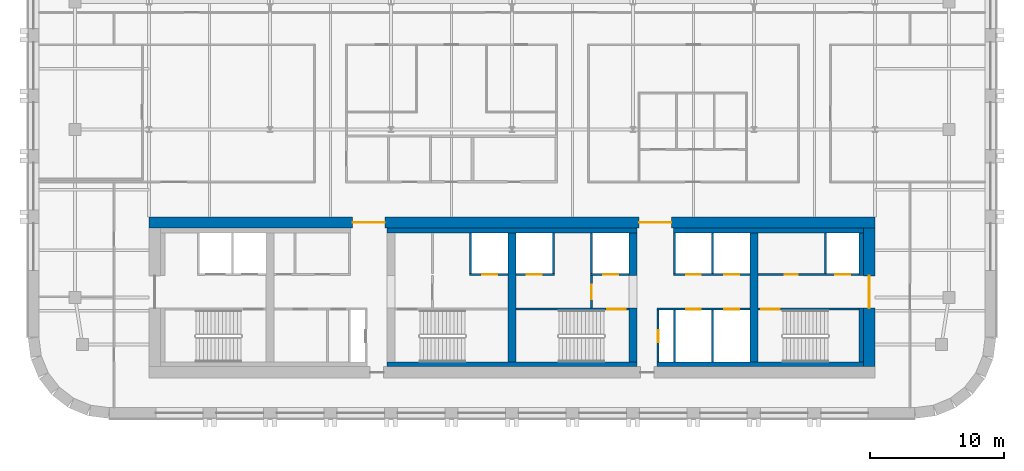
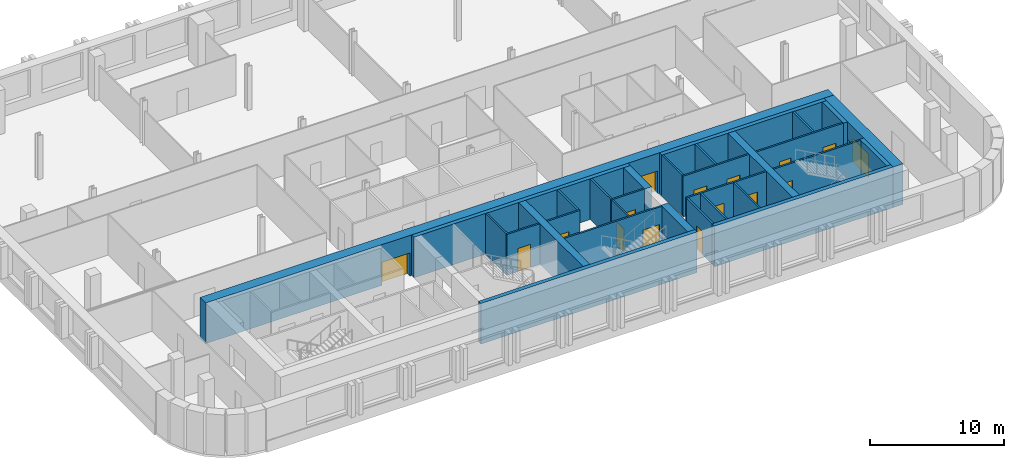
# One storey, part 5 of 11: 30 walls, 16 doors, 16 openings.
"""IFC4 building model written with IfcOpenShell, lengths in metres."""

from ifc_helpers import new_model, si_unit, direction, frame, frame_2d, origin, place, context, subcontext, project, spatial, rectangle, extrude, material, layer, layer_set, type_object, element, fill, save


model = new_model("IFC4")

# Units and contexts
model_context = context("Model", 3, precision=1e-05, world=origin(), true_north=direction((0.0, 1.0)))
body_context = subcontext(model_context, "Body", "Model", "MODEL_VIEW")
ifc_project = project(units=[si_unit("LENGTHUNIT", "METRE"), si_unit("AREAUNIT", "SQUARE_METRE"), si_unit("VOLUMEUNIT", "CUBIC_METRE"), si_unit("PLANEANGLEUNIT", "RADIAN"), si_unit("MASSUNIT", "GRAM", prefix="KILO")], contexts=[model_context])

# Site, building, storey
site_placement = place(None, origin())
site = spatial("IfcSite", under=ifc_project, at=site_placement, CompositionType="ELEMENT")
building_placement = place(site_placement, origin())
building = spatial("IfcBuilding", under=site, at=building_placement, Name="Zellij Exchange Tower", CompositionType="ELEMENT")
storey_placement = place(building_placement, frame((0.0, 0.0, 208.5)))
storey = spatial("IfcBuildingStorey", under=building, at=storey_placement, Name="L48", CompositionType="ELEMENT", Elevation=208.5)

# Walls
ifc_material_1 = material(Name="Concrete C60/75", Category="concrete")
ifc_layer_1 = layer(ifc_material_1, 0.60009765625)
ifc_layer_set_1 = layer_set([ifc_layer_1], Name="Concrete C60/75")
wall_type_1 = type_object("IfcWallType", Name="CORE-CW 600 C60/75", PredefinedType="SHEAR", material=ifc_layer_set_1)
wall_1_placement = place(storey_placement, frame((0.0, -12.800048828125, 0.0), z_axis=(0.0, 0.0, 1.0), x_axis=(0.0, 1.0, 0.0)))
element("IfcWall", 1, at=wall_1_placement, inside=storey, type_object=wall_type_1, Name="Core cross wall x 0 L48", PredefinedType="SHEAR", context=body_context, shape_type="SweptSolid", body=[
    extrude(rectangle(XDim=9.60009765625, YDim=0.60009765625, at=frame_2d((4.800048828125, 0.0))), origin(), (0.0, 0.0, 1.0), 3.699951171875),
])
wall_2_placement = place(storey_placement, frame((9.0, -12.800048828125, 0.0), z_axis=(0.0, 0.0, 1.0), x_axis=(0.0, 1.0, 0.0)))
element("IfcWall", 2, at=wall_2_placement, inside=storey, type_object=wall_type_1, Name="Core cross wall pier x 9 a L48", PredefinedType="SHEAR", context=body_context, shape_type="SweptSolid", body=[
    extrude(rectangle(XDim=4.0, YDim=0.60009765625, at=frame_2d((2.0, 0.0))), origin(), (0.0, 0.0, 1.0), 3.699951171875),
])
wall_3_placement = place(storey_placement, frame((9.0, -6.375, 0.0), z_axis=(0.0, 0.0, 1.0), x_axis=(0.0, 1.0, 0.0)))
element("IfcWall", 3, at=wall_3_placement, inside=storey, type_object=wall_type_1, Name="Core cross wall pier x 9 b L48", PredefinedType="SHEAR", context=body_context, shape_type="SweptSolid", body=[
    extrude(rectangle(XDim=3.175048828125, YDim=0.60009765625, at=frame_2d((1.58740234375, 0.0))), origin(), (0.0, 0.0, 1.0), 3.699951171875),
])
wall_4_placement = place(storey_placement, frame((18.0, -12.800048828125, 0.0), z_axis=(0.0, 0.0, 1.0), x_axis=(0.0, 1.0, 0.0)))
element("IfcWall", 4, at=wall_4_placement, inside=storey, type_object=wall_type_1, Name="Core cross wall x 18 L48", PredefinedType="SHEAR", context=body_context, shape_type="SweptSolid", body=[
    extrude(rectangle(XDim=9.60009765625, YDim=0.60009765625, at=frame_2d((4.800048828125, 0.0))), origin(), (0.0, 0.0, 1.0), 3.699951171875),
])
ifc_material_2 = material(Name="Concrete C30/37", Category="concrete")
ifc_layer_2 = layer(ifc_material_2, 0.35009765625)
ifc_layer_set_2 = layer_set([ifc_layer_2], Name="Concrete C30/37")
wall_type_2 = type_object("IfcWallType", Name="CORE-LW 350 C30/37", PredefinedType="SHEAR", material=ifc_layer_set_2)
wall_5_placement = place(storey_placement, frame((-9.300048828125, -3.02490234375, 0.0), z_axis=(0.0, 0.0, 1.0), x_axis=(1.0, 0.0, 0.0)))
element("IfcWall", 5, at=wall_5_placement, inside=storey, type_object=wall_type_2, Name="Core wall lining front.1 L48", PredefinedType="SHEAR", context=body_context, shape_type="SweptSolid", body=[
    extrude(rectangle(XDim=18.60009765625, YDim=0.35009765625, at=frame_2d((9.300048828125, 0.0))), origin(), (0.0, 0.0, 1.0), 3.699951171875),
])
wall_6_placement = place(storey_placement, frame((12.0, -3.02490234375, 0.0), z_axis=(0.0, 0.0, 1.0), x_axis=(1.0, 0.0, 0.0)))
element("IfcWall", 6, at=wall_6_placement, inside=storey, type_object=wall_type_2, Name="Core wall lining front.2 L48", PredefinedType="SHEAR", context=body_context, shape_type="SweptSolid", body=[
    extrude(rectangle(XDim=14.14990234375, YDim=0.35009765625, at=frame_2d((7.074951171875, 0.0))), origin(), (0.0, 0.0, 1.0), 3.699951171875),
])
wall_7_placement = place(storey_placement, frame((-9.300048828125, -12.97509765625, 0.0), z_axis=(0.0, 0.0, 1.0), x_axis=(1.0, 0.0, 0.0)))
element("IfcWall", 7, at=wall_7_placement, inside=storey, type_object=wall_type_2, Name="Core wall lining rear.1 L48", PredefinedType="SHEAR", context=body_context, shape_type="SweptSolid", body=[
    extrude(rectangle(XDim=18.60009765625, YDim=0.35009765625, at=frame_2d((9.300048828125, 0.0))), origin(), (0.0, 0.0, 1.0), 3.699951171875),
])
wall_8_placement = place(storey_placement, frame((10.800048828125, -12.97509765625, 0.0), z_axis=(0.0, 0.0, 1.0), x_axis=(1.0, 0.0, 0.0)))
element("IfcWall", 8, at=wall_8_placement, inside=storey, type_object=wall_type_2, Name="Core wall lining rear.2 L48", PredefinedType="SHEAR", context=body_context, shape_type="SweptSolid", body=[
    extrude(rectangle(XDim=15.349853515625, YDim=0.35009765625, at=frame_2d((7.6748046875, 0.0))), origin(), (0.0, 0.0, 1.0), 3.699951171875),
])
wall_9_placement = place(storey_placement, frame((25.97509765625, -12.800048828125, 0.0), z_axis=(0.0, 0.0, 1.0), x_axis=(0.0, 1.0, 0.0)))
element("IfcWall", 9, at=wall_9_placement, inside=storey, type_object=wall_type_2, Name="Core wall lining end e.0 L48", PredefinedType="SHEAR", context=body_context, shape_type="SweptSolid", body=[
    extrude(rectangle(XDim=4.0, YDim=0.35009765625, at=frame_2d((2.0, 0.0))), origin(), (0.0, 0.0, 1.0), 3.699951171875),
])
wall_10_placement = place(storey_placement, frame((25.97509765625, -6.375, 0.0), z_axis=(0.0, 0.0, 1.0), x_axis=(0.0, 1.0, 0.0)))
element("IfcWall", 10, at=wall_10_placement, inside=storey, type_object=wall_type_2, Name="Core wall lining end e.1 L48", PredefinedType="SHEAR", context=body_context, shape_type="SweptSolid", body=[
    extrude(rectangle(XDim=3.175048828125, YDim=0.35009765625, at=frame_2d((1.58740234375, 0.0))), origin(), (0.0, 0.0, 1.0), 3.699951171875),
])

# Wall, opening, door
ifc_material_3 = material(Name="Gypsum shaft wall system")
ifc_layer_3 = layer(ifc_material_3, 0.14990234375)
ifc_layer_set_3 = layer_set([ifc_layer_3], Name="Gypsum shaft wall system")
wall_type_3 = type_object("IfcWallType", Name="CORE-PW 150 Firefighting lobby wall", PredefinedType="PARTITIONING", material=ifc_layer_set_3)
wall_11_placement = place(storey_placement, frame((5.925048828125, -8.800048828125, 0.0), z_axis=(0.0, 0.0, 1.0), x_axis=(0.0, 1.0, 0.0)))
wall_11 = element("IfcWall", 11, at=wall_11_placement, inside=storey, type_object=wall_type_3, Name="Firefighting lobby wall L48", PredefinedType="PARTITIONING", context=body_context, shape_type="SweptSolid", body=[
    extrude(rectangle(XDim=2.425048828125, YDim=0.14990234375, at=frame_2d((1.21240234375, 0.0))), origin(), (0.0, 0.0, 1.0), 3.699951171875),
])
opening_1_placement = place(wall_11_placement, frame((0.662109375, 0.0, 0.0)))
opening_1 = element("IfcOpeningElement", 12, at=opening_1_placement, cuts=wall_11, Name="Opening CA-25.16", PredefinedType="OPENING", context=body_context, shape_type="SweptSolid", body=[
    extrude(rectangle(XDim=1.10009765625, YDim=2.10009765625, at=frame_2d((0.550048828125, 1.050048828125))), frame((0.0, 0.0869140625, 0.0), z_axis=(0.0, -1.0, 0.0), x_axis=(1.0, 0.0, 0.0)), (0.0, 0.0, 1.0), 0.173828125),
])
ifc_material_4 = material(Name="Hollow metal fire door")
door_type_1 = type_object("IfcDoorType", Name="CORE-D F Firefighting lobby door 1100x2100 1 HR", OperationType="NOTDEFINED", PredefinedType="DOOR", material=ifc_material_4)
door_1_placement = place(opening_1_placement, origin())
door_1 = element("IfcDoor", 13, at=door_1_placement, inside=storey, type_object=door_type_1, Name="Firefighting lobby door CA-25.16", OperationType="SINGLE_SWING_RIGHT", OverallHeight=2.10009765625, OverallWidth=1.10009765625, PredefinedType="DOOR", context=body_context, shape_type="SweptSolid", body=[
    extrude(rectangle(XDim=1.10009765625, YDim=2.10009765625, at=frame_2d((0.550048828125, 1.050048828125))), frame((0.0, 0.02490234375, 0.0), z_axis=(0.0, -1.0, 0.0), x_axis=(1.0, 0.0, 0.0)), (0.0, 0.0, 1.0), 0.050048828125),
])
fill(opening_1, door_1)

ifc_material_5 = material(Name="Gypsum board partition")
ifc_layer_4 = layer(ifc_material_5, 0.14990234375)
ifc_layer_set_4 = layer_set([ifc_layer_4], Name="Gypsum board partition")
wall_type_4 = type_object("IfcWallType", Name="CORE-PW 150 Lift lobby wall", PredefinedType="PARTITIONING", material=ifc_layer_set_4)
wall_12_placement = place(storey_placement, frame((10.875, -12.800048828125, 0.0), z_axis=(0.0, 0.0, 1.0), x_axis=(0.0, 1.0, 0.0)))
wall_12 = element("IfcWall", 14, at=wall_12_placement, inside=storey, type_object=wall_type_4, Name="Lift lobby wall L48", PredefinedType="PARTITIONING", context=body_context, shape_type="SweptSolid", body=[
    extrude(rectangle(XDim=3.85009765625, YDim=0.14990234375, at=frame_2d((1.925048828125, 0.0))), origin(), (0.0, 0.0, 1.0), 3.699951171875),
])
opening_2_placement = place(wall_12_placement, frame((1.47509765625, 0.0, 0.0)))
opening_2 = element("IfcOpeningElement", 15, at=opening_2_placement, cuts=wall_12, Name="Opening CA-25.21", PredefinedType="OPENING", context=body_context, shape_type="SweptSolid", body=[
    extrude(rectangle(XDim=0.89990234375, YDim=2.10009765625, at=frame_2d((0.449951171875, 1.050048828125))), frame((0.0, 0.0869140625, 0.0), z_axis=(0.0, -1.0, 0.0), x_axis=(1.0, 0.0, 0.0)), (0.0, 0.0, 1.0), 0.173828125),
])
door_type_2 = type_object("IfcDoorType", Name="CORE-D RD Riser door 900x2100 1.5 HR", OperationType="NOTDEFINED", PredefinedType="DOOR", material=ifc_material_4)
door_2_placement = place(opening_2_placement, origin())
door_2 = element("IfcDoor", 16, at=door_2_placement, inside=storey, type_object=door_type_2, Name="Riser door CA-25.21", OperationType="SINGLE_SWING_LEFT", OverallHeight=2.10009765625, OverallWidth=0.89990234375, PredefinedType="DOOR", context=body_context, shape_type="SweptSolid", body=[
    extrude(rectangle(XDim=0.89990234375, YDim=2.10009765625, at=frame_2d((0.449951171875, 1.050048828125))), frame((0.0, 0.02490234375, 0.0), z_axis=(0.0, -1.0, 0.0), x_axis=(1.0, 0.0, 0.0)), (0.0, 0.0, 1.0), 0.050048828125),
])
fill(opening_2, door_2)

# Walls
ifc_layer_5 = layer(ifc_material_3, 0.14990234375)
ifc_layer_set_5 = layer_set([ifc_layer_5], Name="Gypsum shaft wall system")
wall_type_5 = type_object("IfcWallType", Name="CORE-PW 150 Lift shaft wall", PredefinedType="PARTITIONING", material=ifc_layer_set_5)
for number, where, z_axis, x_axis, name in (
    (17, (-3.074951171875, -6.22509765625, 0.0), (0.0, 0.0, 1.0), (0.0, 1.0, 0.0), "Lift shaft wall L48"),
    (18, (3.074951171875, -6.22509765625, 0.0), (0.0, 0.0, 1.0), (0.0, 1.0, 0.0), "Lift shaft wall L48"),
    (19, (5.925048828125, -6.22509765625, 0.0), (0.0, 0.0, 1.0), (0.0, 1.0, 0.0), "Lift shaft wall L48"),
    (20, (12.074951171875, -6.22509765625, 0.0), (0.0, 0.0, 1.0), (0.0, 1.0, 0.0), "Lift shaft wall L48"),
    (21, (14.925048828125, -6.22509765625, 0.0), (0.0, 0.0, 1.0), (0.0, 1.0, 0.0), "Lift shaft wall L48"),
    (22, (23.324951171875, -6.22509765625, 0.0), (0.0, 0.0, 1.0), (0.0, 1.0, 0.0), "Lift shaft wall L48"),
):
    element("IfcWall", number, at=place(storey_placement, frame(where, z_axis=z_axis, x_axis=x_axis)), inside=storey, type_object=wall_type_5, Name=name, PredefinedType="PARTITIONING", context=body_context, shape_type="SweptSolid", body=[
        extrude(rectangle(XDim=3.025146484375, YDim=0.14990234375, at=frame_2d((1.5126953125, 0.0))), origin(), (0.0, 0.0, 1.0), 3.699951171875),
    ])
for number, where, z_axis, x_axis, name in (
    (23, (12.074951171875, -12.800048828125, 0.0), (0.0, 0.0, 1.0), (0.0, 1.0, 0.0), "Lift shaft wall L48"),
    (24, (14.925048828125, -12.800048828125, 0.0), (0.0, 0.0, 1.0), (0.0, 1.0, 0.0), "Lift shaft wall L48"),
):
    element("IfcWall", number, at=place(storey_placement, frame(where, z_axis=z_axis, x_axis=x_axis)), inside=storey, type_object=wall_type_5, Name=name, PredefinedType="PARTITIONING", context=body_context, shape_type="SweptSolid", body=[
        extrude(rectangle(XDim=3.85009765625, YDim=0.14990234375, at=frame_2d((1.925048828125, 0.0))), origin(), (0.0, 0.0, 1.0), 3.699951171875),
    ])

# Wall, opening, door
wall_13_placement = place(storey_placement, frame((-3.14990234375, -6.300048828125, 0.0), z_axis=(0.0, 0.0, 1.0), x_axis=(1.0, 0.0, 0.0)))
wall_13 = element("IfcWall", 25, at=wall_13_placement, inside=storey, type_object=wall_type_5, Name="Lift shaft wall L48", PredefinedType="PARTITIONING", context=body_context, shape_type="SweptSolid", body=[
    extrude(rectangle(XDim=2.849853515625, YDim=0.14990234375, at=frame_2d((1.4248046875, 0.0))), origin(), (0.0, 0.0, 1.0), 3.699951171875),
])
opening_3_placement = place(wall_13_placement, frame((0.949951171875, 0.0, 0.0)))
opening_3 = element("IfcOpeningElement", 26, at=opening_3_placement, cuts=wall_13, Name="Opening CA-25.14", PredefinedType="OPENING", context=body_context, shape_type="SweptSolid", body=[
    extrude(rectangle(XDim=1.10009765625, YDim=2.10009765625, at=frame_2d((0.550048828125, 1.050048828125))), frame((0.0, 0.0869140625, 0.0), z_axis=(0.0, -1.0, 0.0), x_axis=(1.0, 0.0, 0.0)), (0.0, 0.0, 1.0), 0.173828125),
])
door_type_3 = type_object("IfcDoorType", Name="CORE-D LD Lift landing door 1100x2100 1.5 HR", OperationType="NOTDEFINED", PredefinedType="DOOR", material=ifc_material_4)
door_3_placement = place(opening_3_placement, origin())
door_3 = element("IfcDoor", 27, at=door_3_placement, inside=storey, type_object=door_type_3, Name="Lift landing door CA-25.14", OperationType="SLIDING_TO_RIGHT", OverallHeight=2.10009765625, OverallWidth=1.10009765625, PredefinedType="DOOR", context=body_context, shape_type="SweptSolid", body=[
    extrude(rectangle(XDim=1.10009765625, YDim=2.10009765625, at=frame_2d((0.550048828125, 1.050048828125))), frame((0.0, 0.02490234375, 0.0), z_axis=(0.0, -1.0, 0.0), x_axis=(1.0, 0.0, 0.0)), (0.0, 0.0, 1.0), 0.050048828125),
])
fill(opening_3, door_3)

wall_14_placement = place(storey_placement, frame((0.300048828125, -6.300048828125, 0.0), z_axis=(0.0, 0.0, 1.0), x_axis=(1.0, 0.0, 0.0)))
wall_14 = element("IfcWall", 28, at=wall_14_placement, inside=storey, type_object=wall_type_5, Name="Lift shaft wall L48", PredefinedType="PARTITIONING", context=body_context, shape_type="SweptSolid", body=[
    extrude(rectangle(XDim=2.849853515625, YDim=0.14990234375, at=frame_2d((1.4248046875, 0.0))), origin(), (0.0, 0.0, 1.0), 3.699951171875),
])
opening_4_placement = place(wall_14_placement, frame((0.800048828125, 0.0, 0.0)))
opening_4 = element("IfcOpeningElement", 29, at=opening_4_placement, cuts=wall_14, Name="Opening CA-25.15", PredefinedType="OPENING", context=body_context, shape_type="SweptSolid", body=[
    extrude(rectangle(XDim=1.10009765625, YDim=2.10009765625, at=frame_2d((0.550048828125, 1.050048828125))), frame((0.0, 0.0869140625, 0.0), z_axis=(0.0, -1.0, 0.0), x_axis=(1.0, 0.0, 0.0)), (0.0, 0.0, 1.0), 0.173828125),
])
door_4_placement = place(opening_4_placement, origin())
door_4 = element("IfcDoor", 30, at=door_4_placement, inside=storey, type_object=door_type_3, Name="Lift landing door CA-25.15", OperationType="SLIDING_TO_LEFT", OverallHeight=2.10009765625, OverallWidth=1.10009765625, PredefinedType="DOOR", context=body_context, shape_type="SweptSolid", body=[
    extrude(rectangle(XDim=1.10009765625, YDim=2.10009765625, at=frame_2d((0.550048828125, 1.050048828125))), frame((0.0, 0.02490234375, 0.0), z_axis=(0.0, -1.0, 0.0), x_axis=(1.0, 0.0, 0.0)), (0.0, 0.0, 1.0), 0.050048828125),
])
fill(opening_4, door_4)

wall_15_placement = place(storey_placement, frame((5.85009765625, -6.300048828125, 0.0), z_axis=(0.0, 0.0, 1.0), x_axis=(1.0, 0.0, 0.0)))
wall_15 = element("IfcWall", 31, at=wall_15_placement, inside=storey, type_object=wall_type_5, Name="Lift shaft wall L48", PredefinedType="PARTITIONING", context=body_context, shape_type="SweptSolid", body=[
    extrude(rectangle(XDim=2.849853515625, YDim=0.14990234375, at=frame_2d((1.4248046875, 0.0))), origin(), (0.0, 0.0, 1.0), 3.699951171875),
])
opening_5_placement = place(wall_15_placement, frame((0.949951171875, 0.0, 0.0)))
opening_5 = element("IfcOpeningElement", 32, at=opening_5_placement, cuts=wall_15, Name="Opening CA-25.17", PredefinedType="OPENING", context=body_context, shape_type="SweptSolid", body=[
    extrude(rectangle(XDim=1.10009765625, YDim=2.10009765625, at=frame_2d((0.550048828125, 1.050048828125))), frame((0.0, 0.0869140625, 0.0), z_axis=(0.0, -1.0, 0.0), x_axis=(1.0, 0.0, 0.0)), (0.0, 0.0, 1.0), 0.173828125),
])
door_5_placement = place(opening_5_placement, origin())
door_5 = element("IfcDoor", 33, at=door_5_placement, inside=storey, type_object=door_type_3, Name="Lift landing door CA-25.17", OperationType="SLIDING_TO_LEFT", OverallHeight=2.10009765625, OverallWidth=1.10009765625, PredefinedType="DOOR", context=body_context, shape_type="SweptSolid", body=[
    extrude(rectangle(XDim=1.10009765625, YDim=2.10009765625, at=frame_2d((0.550048828125, 1.050048828125))), frame((0.0, 0.02490234375, 0.0), z_axis=(0.0, -1.0, 0.0), x_axis=(1.0, 0.0, 0.0)), (0.0, 0.0, 1.0), 0.050048828125),
])
fill(opening_5, door_5)

# Wall, openings, doors
wall_16_placement = place(storey_placement, frame((12.0, -6.300048828125, 0.0), z_axis=(0.0, 0.0, 1.0), x_axis=(1.0, 0.0, 0.0)))
wall_16 = element("IfcWall", 34, at=wall_16_placement, inside=storey, type_object=wall_type_5, Name="Lift shaft wall L48", PredefinedType="PARTITIONING", context=body_context, shape_type="SweptSolid", body=[
    extrude(rectangle(XDim=5.699951171875, YDim=0.14990234375, at=frame_2d((2.85009765625, 0.0))), origin(), (0.0, 0.0, 1.0), 3.699951171875),
])
opening_6_placement = place(wall_16_placement, frame((0.949951171875, 0.0, 0.0)))
opening_6 = element("IfcOpeningElement", 35, at=opening_6_placement, cuts=wall_16, Name="Opening CA-25.23", PredefinedType="OPENING", context=body_context, shape_type="SweptSolid", body=[
    extrude(rectangle(XDim=1.10009765625, YDim=2.10009765625, at=frame_2d((0.550048828125, 1.050048828125))), frame((0.0, 0.0869140625, 0.0), z_axis=(0.0, -1.0, 0.0), x_axis=(1.0, 0.0, 0.0)), (0.0, 0.0, 1.0), 0.173828125),
])
opening_7_placement = place(wall_16_placement, frame((3.800048828125, 0.0, 0.0)))
opening_7 = element("IfcOpeningElement", 36, at=opening_7_placement, cuts=wall_16, Name="Opening CA-25.25", PredefinedType="OPENING", context=body_context, shape_type="SweptSolid", body=[
    extrude(rectangle(XDim=1.10009765625, YDim=2.10009765625, at=frame_2d((0.550048828125, 1.050048828125))), frame((0.0, 0.0869140625, 0.0), z_axis=(0.0, -1.0, 0.0), x_axis=(1.0, 0.0, 0.0)), (0.0, 0.0, 1.0), 0.173828125),
])
door_6_placement = place(opening_6_placement, origin())
door_6 = element("IfcDoor", 37, at=door_6_placement, inside=storey, type_object=door_type_3, Name="Lift landing door CA-25.23", OperationType="SLIDING_TO_LEFT", OverallHeight=2.10009765625, OverallWidth=1.10009765625, PredefinedType="DOOR", context=body_context, shape_type="SweptSolid", body=[
    extrude(rectangle(XDim=1.10009765625, YDim=2.10009765625, at=frame_2d((0.550048828125, 1.050048828125))), frame((0.0, 0.02490234375, 0.0), z_axis=(0.0, -1.0, 0.0), x_axis=(1.0, 0.0, 0.0)), (0.0, 0.0, 1.0), 0.050048828125),
])
fill(opening_6, door_6)
door_7_placement = place(opening_7_placement, origin())
door_7 = element("IfcDoor", 38, at=door_7_placement, inside=storey, type_object=door_type_3, Name="Lift landing door CA-25.25", OperationType="SLIDING_TO_LEFT", OverallHeight=2.10009765625, OverallWidth=1.10009765625, PredefinedType="DOOR", context=body_context, shape_type="SweptSolid", body=[
    extrude(rectangle(XDim=1.10009765625, YDim=2.10009765625, at=frame_2d((0.550048828125, 1.050048828125))), frame((0.0, 0.02490234375, 0.0), z_axis=(0.0, -1.0, 0.0), x_axis=(1.0, 0.0, 0.0)), (0.0, 0.0, 1.0), 0.050048828125),
])
fill(opening_7, door_7)

wall_17_placement = place(storey_placement, frame((18.300048828125, -6.300048828125, 0.0), z_axis=(0.0, 0.0, 1.0), x_axis=(1.0, 0.0, 0.0)))
wall_17 = element("IfcWall", 39, at=wall_17_placement, inside=storey, type_object=wall_type_5, Name="Lift shaft wall L48", PredefinedType="PARTITIONING", context=body_context, shape_type="SweptSolid", body=[
    extrude(rectangle(XDim=7.5, YDim=0.14990234375, at=frame_2d((3.75, 0.0))), origin(), (0.0, 0.0, 1.0), 3.699951171875),
])
opening_8_placement = place(wall_17_placement, frame((1.97509765625, 0.0, 0.0)))
opening_8 = element("IfcOpeningElement", 40, at=opening_8_placement, cuts=wall_17, Name="Opening CA-25.27", PredefinedType="OPENING", context=body_context, shape_type="SweptSolid", body=[
    extrude(rectangle(XDim=1.0, YDim=2.10009765625, at=frame_2d((0.5, 1.050048828125))), frame((0.0, 0.0869140625, 0.0), z_axis=(0.0, -1.0, 0.0), x_axis=(1.0, 0.0, 0.0)), (0.0, 0.0, 1.0), 0.173828125),
])
opening_9_placement = place(wall_17_placement, frame((5.75, 0.0, 0.0)))
opening_9 = element("IfcOpeningElement", 41, at=opening_9_placement, cuts=wall_17, Name="Opening CA-25.28", PredefinedType="OPENING", context=body_context, shape_type="SweptSolid", body=[
    extrude(rectangle(XDim=1.10009765625, YDim=2.10009765625, at=frame_2d((0.550048828125, 1.050048828125))), frame((0.0, 0.0869140625, 0.0), z_axis=(0.0, -1.0, 0.0), x_axis=(1.0, 0.0, 0.0)), (0.0, 0.0, 1.0), 0.173828125),
])
door_type_4 = type_object("IfcDoorType", Name="CORE-D CD Core room door 1000x2100 1 HR", OperationType="NOTDEFINED", PredefinedType="DOOR", material=ifc_material_4)
door_8_placement = place(opening_8_placement, origin())
door_8 = element("IfcDoor", 42, at=door_8_placement, inside=storey, type_object=door_type_4, Name="Core room door CA-25.27", OperationType="SINGLE_SWING_LEFT", OverallHeight=2.10009765625, OverallWidth=1.0, PredefinedType="DOOR", context=body_context, shape_type="SweptSolid", body=[
    extrude(rectangle(XDim=1.0, YDim=2.10009765625, at=frame_2d((0.5, 1.050048828125))), frame((0.0, 0.02490234375, 0.0), z_axis=(0.0, -1.0, 0.0), x_axis=(1.0, 0.0, 0.0)), (0.0, 0.0, 1.0), 0.050048828125),
])
fill(opening_8, door_8)
door_9_placement = place(opening_9_placement, origin())
door_9 = element("IfcDoor", 43, at=door_9_placement, inside=storey, type_object=door_type_3, Name="Lift landing door CA-25.28", OperationType="SLIDING_TO_RIGHT", OverallHeight=2.10009765625, OverallWidth=1.10009765625, PredefinedType="DOOR", context=body_context, shape_type="SweptSolid", body=[
    extrude(rectangle(XDim=1.10009765625, YDim=2.10009765625, at=frame_2d((0.550048828125, 1.050048828125))), frame((0.0, 0.02490234375, 0.0), z_axis=(0.0, -1.0, 0.0), x_axis=(1.0, 0.0, 0.0)), (0.0, 0.0, 1.0), 0.050048828125),
])
fill(opening_9, door_9)

wall_18_placement = place(storey_placement, frame((10.800048828125, -8.875, 0.0), z_axis=(0.0, 0.0, 1.0), x_axis=(1.0, 0.0, 0.0)))
wall_18 = element("IfcWall", 44, at=wall_18_placement, inside=storey, type_object=wall_type_5, Name="Lift shaft wall L48", PredefinedType="PARTITIONING", context=body_context, shape_type="SweptSolid", body=[
    extrude(rectangle(XDim=6.89990234375, YDim=0.14990234375, at=frame_2d((3.449951171875, 0.0))), origin(), (0.0, 0.0, 1.0), 3.699951171875),
])
opening_10_placement = place(wall_18_placement, frame((2.14990234375, 0.0, 0.0)))
opening_10 = element("IfcOpeningElement", 45, at=opening_10_placement, cuts=wall_18, Name="Opening CA-25.22", PredefinedType="OPENING", context=body_context, shape_type="SweptSolid", body=[
    extrude(rectangle(XDim=1.10009765625, YDim=2.10009765625, at=frame_2d((0.550048828125, 1.050048828125))), frame((0.0, 0.0869140625, 0.0), z_axis=(0.0, -1.0, 0.0), x_axis=(1.0, 0.0, 0.0)), (0.0, 0.0, 1.0), 0.173828125),
])
opening_11_placement = place(wall_18_placement, frame((5.0, 0.0, 0.0)))
opening_11 = element("IfcOpeningElement", 46, at=opening_11_placement, cuts=wall_18, Name="Opening CA-25.24", PredefinedType="OPENING", context=body_context, shape_type="SweptSolid", body=[
    extrude(rectangle(XDim=1.10009765625, YDim=2.10009765625, at=frame_2d((0.550048828125, 1.050048828125))), frame((0.0, 0.0869140625, 0.0), z_axis=(0.0, -1.0, 0.0), x_axis=(1.0, 0.0, 0.0)), (0.0, 0.0, 1.0), 0.173828125),
])
door_10_placement = place(opening_10_placement, origin())
door_10 = element("IfcDoor", 47, at=door_10_placement, inside=storey, type_object=door_type_3, Name="Lift landing door CA-25.22", OperationType="SLIDING_TO_RIGHT", OverallHeight=2.10009765625, OverallWidth=1.10009765625, PredefinedType="DOOR", context=body_context, shape_type="SweptSolid", body=[
    extrude(rectangle(XDim=1.10009765625, YDim=2.10009765625, at=frame_2d((0.550048828125, 1.050048828125))), frame((0.0, 0.02490234375, 0.0), z_axis=(0.0, -1.0, 0.0), x_axis=(1.0, 0.0, 0.0)), (0.0, 0.0, 1.0), 0.050048828125),
])
fill(opening_10, door_10)
door_11_placement = place(opening_11_placement, origin())
door_11 = element("IfcDoor", 48, at=door_11_placement, inside=storey, type_object=door_type_3, Name="Lift landing door CA-25.24", OperationType="SLIDING_TO_RIGHT", OverallHeight=2.10009765625, OverallWidth=1.10009765625, PredefinedType="DOOR", context=body_context, shape_type="SweptSolid", body=[
    extrude(rectangle(XDim=1.10009765625, YDim=2.10009765625, at=frame_2d((0.550048828125, 1.050048828125))), frame((0.0, 0.02490234375, 0.0), z_axis=(0.0, -1.0, 0.0), x_axis=(1.0, 0.0, 0.0)), (0.0, 0.0, 1.0), 0.050048828125),
])
fill(opening_11, door_11)

ifc_layer_6 = layer(ifc_material_1, 0.85009765625)
ifc_layer_set_6 = layer_set([ifc_layer_6], Name="Concrete C60/75")
wall_type_6 = type_object("IfcWallType", Name="CORE-SW 850 C60/75", PredefinedType="SHEAR", material=ifc_layer_set_6)
wall_19_placement = place(storey_placement, frame((-27.0, -2.425048828125, 0.0), z_axis=(0.0, 0.0, 1.0), x_axis=(1.0, 0.0, 0.0)))
wall_19 = element("IfcWall", 49, at=wall_19_placement, inside=storey, type_object=wall_type_6, Name="Core shear wall front L48", PredefinedType="SHEAR", context=body_context, shape_type="SweptSolid", body=[
    extrude(rectangle(XDim=54.0, YDim=0.85009765625, at=frame_2d((27.0, 0.0))), origin(), (0.0, 0.0, 1.0), 3.699951171875),
])
opening_12_placement = place(wall_19_placement, frame((15.14990234375, 0.0, 0.0)))
opening_12 = element("IfcOpeningElement", 50, at=opening_12_placement, cuts=wall_19, Name="Opening CA-25.10", PredefinedType="OPENING", context=body_context, shape_type="SweptSolid", body=[
    extrude(rectangle(XDim=2.39990234375, YDim=2.10009765625, at=frame_2d((1.199951171875, 1.050048828125))), frame((0.0, 0.43701171875, 0.0), z_axis=(0.0, -1.0, 0.0), x_axis=(1.0, 0.0, 0.0)), (0.0, 0.0, 1.0), 0.8740234375),
])
opening_13_placement = place(wall_19_placement, frame((36.449951171875, 0.0, 0.0)))
opening_13 = element("IfcOpeningElement", 51, at=opening_13_placement, cuts=wall_19, Name="Opening CA-25.20", PredefinedType="OPENING", context=body_context, shape_type="SweptSolid", body=[
    extrude(rectangle(XDim=2.39990234375, YDim=2.10009765625, at=frame_2d((1.199951171875, 1.050048828125))), frame((0.0, 0.43701171875, 0.0), z_axis=(0.0, -1.0, 0.0), x_axis=(1.0, 0.0, 0.0)), (0.0, 0.0, 1.0), 0.8740234375),
])
door_type_5 = type_object("IfcDoorType", Name="CORE-D CE Core entrance door 2400x2100 20 MIN", OperationType="NOTDEFINED", PredefinedType="DOOR", material=ifc_material_4)
door_12_placement = place(opening_12_placement, origin())
door_12 = element("IfcDoor", 52, at=door_12_placement, inside=storey, type_object=door_type_5, Name="Core entrance door CA-25.10", OperationType="DOUBLE_DOOR_SINGLE_SWING", OverallHeight=2.10009765625, OverallWidth=2.39990234375, PredefinedType="DOOR", context=body_context, shape_type="SweptSolid", body=[
    extrude(rectangle(XDim=2.39990234375, YDim=2.10009765625, at=frame_2d((1.199951171875, 1.050048828125))), frame((0.0, 0.02490234375, 0.0), z_axis=(0.0, -1.0, 0.0), x_axis=(1.0, 0.0, 0.0)), (0.0, 0.0, 1.0), 0.050048828125),
])
fill(opening_12, door_12)
door_13_placement = place(opening_13_placement, origin())
door_13 = element("IfcDoor", 53, at=door_13_placement, inside=storey, type_object=door_type_5, Name="Core entrance door CA-25.20", OperationType="DOUBLE_DOOR_SINGLE_SWING", OverallHeight=2.10009765625, OverallWidth=2.39990234375, PredefinedType="DOOR", context=body_context, shape_type="SweptSolid", body=[
    extrude(rectangle(XDim=2.39990234375, YDim=2.10009765625, at=frame_2d((1.199951171875, 1.050048828125))), frame((0.0, 0.02490234375, 0.0), z_axis=(0.0, -1.0, 0.0), x_axis=(1.0, 0.0, 0.0)), (0.0, 0.0, 1.0), 0.050048828125),
])
fill(opening_13, door_13)

# Wall, opening, door
wall_20_placement = place(storey_placement, frame((26.574951171875, -13.14990234375, 0.0), z_axis=(0.0, 0.0, 1.0), x_axis=(0.0, 1.0, 0.0)))
wall_20 = element("IfcWall", 54, at=wall_20_placement, inside=storey, type_object=wall_type_6, Name="Core shear wall end e L48", PredefinedType="SHEAR", context=body_context, shape_type="SweptSolid", body=[
    extrude(rectangle(XDim=10.2998046875, YDim=0.85009765625, at=frame_2d((5.14990234375, 0.0))), origin(), (0.0, 0.0, 1.0), 3.699951171875),
])
opening_14_placement = place(wall_20_placement, frame((4.362060546875, 0.0, 0.0)))
opening_14 = element("IfcOpeningElement", 55, at=opening_14_placement, cuts=wall_20, Name="Opening CA-25.29", PredefinedType="OPENING", context=body_context, shape_type="SweptSolid", body=[
    extrude(rectangle(XDim=2.39990234375, YDim=2.10009765625, at=frame_2d((1.199951171875, 1.050048828125))), frame((0.0, 0.43701171875, 0.0), z_axis=(0.0, -1.0, 0.0), x_axis=(1.0, 0.0, 0.0)), (0.0, 0.0, 1.0), 0.8740234375),
])
door_14_placement = place(opening_14_placement, origin())
door_14 = element("IfcDoor", 56, at=door_14_placement, inside=storey, type_object=door_type_5, Name="Core entrance door CA-25.29", OperationType="DOUBLE_DOOR_SINGLE_SWING", OverallHeight=2.10009765625, OverallWidth=2.39990234375, PredefinedType="DOOR", context=body_context, shape_type="SweptSolid", body=[
    extrude(rectangle(XDim=2.39990234375, YDim=2.10009765625, at=frame_2d((1.199951171875, 1.050048828125))), frame((0.0, 0.02490234375, 0.0), z_axis=(0.0, -1.0, 0.0), x_axis=(1.0, 0.0, 0.0)), (0.0, 0.0, 1.0), 0.050048828125),
])
fill(opening_14, door_14)

ifc_layer_7 = layer(ifc_material_1, 0.14990234375)
ifc_layer_set_7 = layer_set([ifc_layer_7], Name="Concrete C60/75")
wall_type_7 = type_object("IfcWallType", Name="CORE-SWS 150 C60/75", PredefinedType="SHEAR", material=ifc_layer_set_7)
wall_21_placement = place(storey_placement, frame((0.300048828125, -8.875, 0.0), z_axis=(0.0, 0.0, 1.0), x_axis=(1.0, 0.0, 0.0)))
wall_21 = element("IfcWall", 57, at=wall_21_placement, inside=storey, type_object=wall_type_7, Name="Stair enclosure wall L48", PredefinedType="SHEAR", context=body_context, shape_type="SweptSolid", body=[
    extrude(rectangle(XDim=8.39990234375, YDim=0.14990234375, at=frame_2d((4.199951171875, 0.0))), origin(), (0.0, 0.0, 1.0), 3.699951171875),
])
opening_15_placement = place(wall_21_placement, frame((6.77490234375, 0.0, 0.0)))
opening_15 = element("IfcOpeningElement", 58, at=opening_15_placement, cuts=wall_21, Name="Opening CA-25.18", PredefinedType="OPENING", context=body_context, shape_type="SweptSolid", body=[
    extrude(rectangle(XDim=1.39990234375, YDim=2.10009765625, at=frame_2d((0.699951171875, 1.050048828125))), frame((0.0, 0.0869140625, 0.0), z_axis=(0.0, -1.0, 0.0), x_axis=(1.0, 0.0, 0.0)), (0.0, 0.0, 1.0), 0.173828125),
])
door_type_6 = type_object("IfcDoorType", Name="CORE-D SD Stair door 1400x2100 1.5 HR", OperationType="NOTDEFINED", PredefinedType="DOOR", material=ifc_material_4)
door_15_placement = place(opening_15_placement, origin())
door_15 = element("IfcDoor", 59, at=door_15_placement, inside=storey, type_object=door_type_6, Name="Stair door CA-25.18", OperationType="DOUBLE_DOOR_SINGLE_SWING", OverallHeight=2.10009765625, OverallWidth=1.39990234375, PredefinedType="DOOR", context=body_context, shape_type="SweptSolid", body=[
    extrude(rectangle(XDim=1.39990234375, YDim=2.10009765625, at=frame_2d((0.699951171875, 1.050048828125))), frame((0.0, 0.02490234375, 0.0), z_axis=(0.0, -1.0, 0.0), x_axis=(1.0, 0.0, 0.0)), (0.0, 0.0, 1.0), 0.050048828125),
])
fill(opening_15, door_15)

wall_22_placement = place(storey_placement, frame((18.300048828125, -8.875, 0.0), z_axis=(0.0, 0.0, 1.0), x_axis=(1.0, 0.0, 0.0)))
wall_22 = element("IfcWall", 60, at=wall_22_placement, inside=storey, type_object=wall_type_7, Name="Stair enclosure wall L48", PredefinedType="SHEAR", context=body_context, shape_type="SweptSolid", body=[
    extrude(rectangle(XDim=7.5, YDim=0.14990234375, at=frame_2d((3.75, 0.0))), origin(), (0.0, 0.0, 1.0), 3.699951171875),
])
opening_16_placement = place(wall_22_placement, frame((0.22509765625, 0.0, 0.0)))
opening_16 = element("IfcOpeningElement", 61, at=opening_16_placement, cuts=wall_22, Name="Opening CA-25.26", PredefinedType="OPENING", context=body_context, shape_type="SweptSolid", body=[
    extrude(rectangle(XDim=1.39990234375, YDim=2.10009765625, at=frame_2d((0.699951171875, 1.050048828125))), frame((0.0, 0.0869140625, 0.0), z_axis=(0.0, -1.0, 0.0), x_axis=(1.0, 0.0, 0.0)), (0.0, 0.0, 1.0), 0.173828125),
])
door_16_placement = place(opening_16_placement, origin())
door_16 = element("IfcDoor", 62, at=door_16_placement, inside=storey, type_object=door_type_6, Name="Stair door CA-25.26", OperationType="DOUBLE_DOOR_SINGLE_SWING", OverallHeight=2.10009765625, OverallWidth=1.39990234375, PredefinedType="DOOR", context=body_context, shape_type="SweptSolid", body=[
    extrude(rectangle(XDim=1.39990234375, YDim=2.10009765625, at=frame_2d((0.699951171875, 1.050048828125))), frame((0.0, 0.02490234375, 0.0), z_axis=(0.0, -1.0, 0.0), x_axis=(1.0, 0.0, 0.0)), (0.0, 0.0, 1.0), 0.050048828125),
])
fill(opening_16, door_16)

save(model, "model.ifc")
